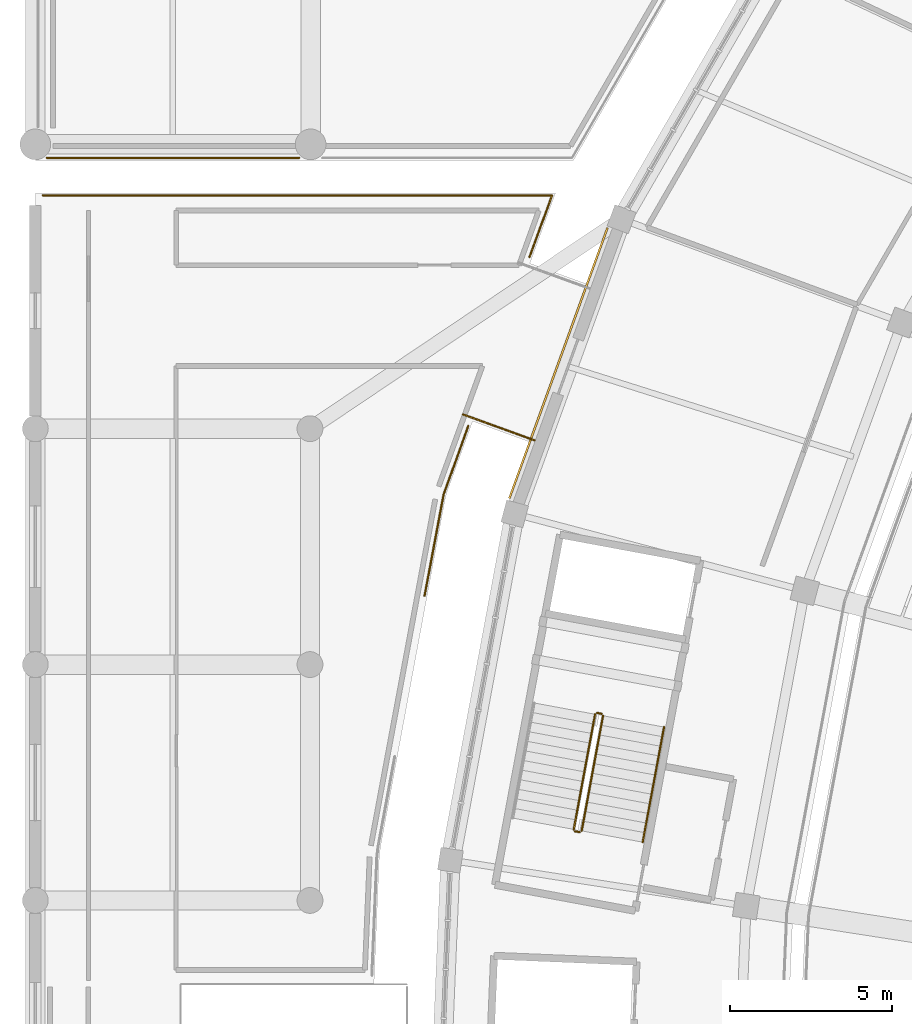
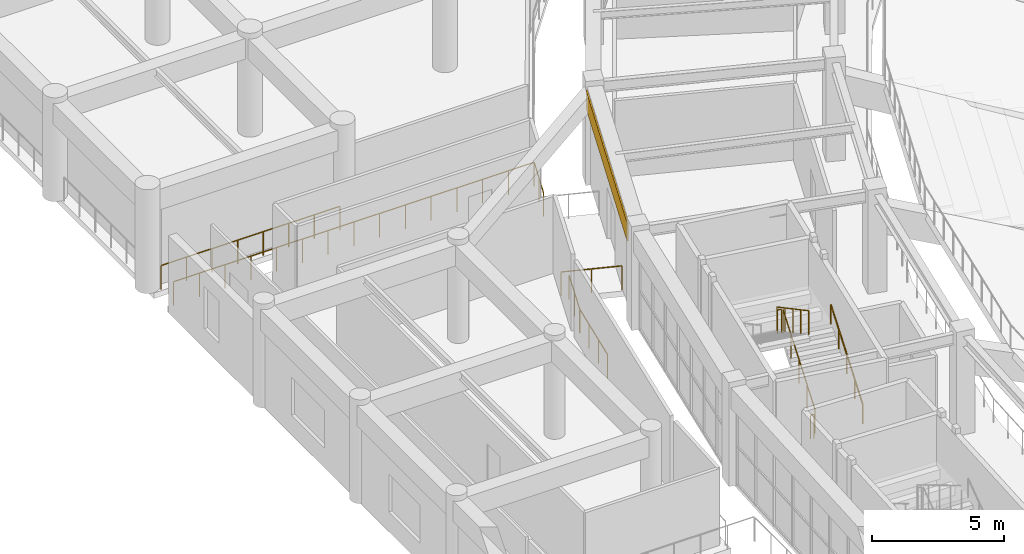
# One storey, part 121 of 137: 9 railings, 1 covering.
"""IFC4 building model written with IfcOpenShell, lengths in metres."""

from ifc_helpers import new_model, si_unit, direction, frame, origin, origin_2d, place, context, subcontext, project, spatial, rectangle, circle, extrude, material, layer, layer_set, type_object, element, save


model = new_model("IFC4")

# Units and contexts
model_context = context("Model", 3, precision=1e-05, world=origin(), true_north=direction((0.0, 1.0)))
body_context = subcontext(model_context, "Body", "Model", "MODEL_VIEW")
ifc_project = project(units=[si_unit("LENGTHUNIT", "METRE"), si_unit("AREAUNIT", "SQUARE_METRE"), si_unit("VOLUMEUNIT", "CUBIC_METRE"), si_unit("PLANEANGLEUNIT", "RADIAN"), si_unit("MASSUNIT", "GRAM", prefix="KILO")], contexts=[model_context])

# Site, building, storey
site_placement = place(None, origin())
site = spatial("IfcSite", under=ifc_project, at=site_placement, CompositionType="ELEMENT")
building_placement = place(site_placement, origin())
building = spatial("IfcBuilding", under=site, at=building_placement, Name="Mphavela Belvedere Stadium", CompositionType="ELEMENT")
storey_placement = place(building_placement, frame((0.0, 0.0, 19.199951171875)))
storey = spatial("IfcBuildingStorey", under=building, at=storey_placement, Name="L04", CompositionType="ELEMENT", Elevation=19.199951171875)

# Covering
ifc_material_1 = material(Name="Carved classical limestone entablature frieze cladding", Category="masonry")
ifc_layer = layer(ifc_material_1, 0.06005859375)
ifc_layer_set = layer_set([ifc_layer], Name="Carved classical limestone entablature frieze cladding")
covering_type = type_object("IfcCoveringType", Name="COV-FRIEZE-CLAD", PredefinedType="CLADDING", material=ifc_layer_set)
covering_placement = place(storey_placement, frame((16.188720703125, 118.2314453125, 3.594970703125), z_axis=(0.0, 0.0, 1.0), x_axis=(-0.341035912161, -0.940050268133, 0.0)))
element("IfcCovering", 1, at=covering_placement, inside=storey, type_object=covering_type, Name="Classical entablature frieze cladding L04-22", PredefinedType="CLADDING", context=body_context, shape_type="SweptSolid", body=[
    extrude(rectangle(XDim=8.905517578125, YDim=0.06005859375, at=origin_2d()), origin(), (0.0, 0.0, 1.0), 0.85009765625),
])

# Railings
ifc_material_2 = material(Name="Bronze and laminated glass stadium balustrade", Category="glass")
railing_type_1 = type_object("IfcRailingType", Name="RAL-BALUSTRADE-1120", PredefinedType="BALUSTRADE", material=ifc_material_2)
railing_1_placement = place(storey_placement, frame((15.44921875, 115.840576171875, 0.0)))
element("IfcRailing", 2, at=railing_1_placement, inside=storey, type_object=railing_type_1, Name="Colonnade link bridge balustrade L04-22B", PredefinedType="BALUSTRADE", context=body_context, shape_type="SweptSolid", body=[
    extrude(circle(Radius=0.02392578125, at=origin_2d()), frame((0.0, 0.0, 1.09619140625), z_axis=(-0.940078218368, 0.340958858734, 0.0), x_axis=(-0.340958858734, -0.940078218368, 0.0)), (0.0, 0.0, 1.0), 2.35009765625),
    extrude(circle(Radius=0.02099609375, at=origin_2d()), origin(), (0.0, 0.0, 1.0), 1.072021484375),
    extrude(circle(Radius=0.02099609375, at=origin_2d()), frame((-1.1044921875, 0.400634765625, 0.0)), (0.0, 0.0, 1.0), 1.072021484375),
    extrude(circle(Radius=0.02099609375, at=origin_2d()), frame((-2.209228515625, 0.80126953125, 0.0)), (0.0, 0.0, 1.0), 1.072021484375),
])
railing_2_placement = place(storey_placement, frame((8.164306640625, 124.580078125, 0.0)))
element("IfcRailing", 3, at=railing_2_placement, inside=storey, type_object=railing_type_1, Name="Peristyle wing gallery edge balustrade L04-36", PredefinedType="BALUSTRADE", context=body_context, shape_type="SweptSolid", body=[
    extrude(circle(Radius=0.02392578125, at=origin_2d()), frame((0.0, 0.0, 1.09619140625), z_axis=(-1.0, 0.0, 0.0), x_axis=(0.0, -1.0, 0.0)), (0.0, 0.0, 1.0), 7.809814453125),
    extrude(circle(Radius=0.02099609375, at=origin_2d()), origin(), (0.0, 0.0, 1.0), 1.072021484375),
    extrude(circle(Radius=0.02099609375, at=origin_2d()), frame((-1.11572265625, 0.0, 0.0)), (0.0, 0.0, 1.0), 1.072021484375),
    extrude(circle(Radius=0.02099609375, at=origin_2d()), frame((-2.2314453125, 0.0, 0.0)), (0.0, 0.0, 1.0), 1.072021484375),
    extrude(circle(Radius=0.02099609375, at=origin_2d()), frame((-3.34716796875, 0.0, 0.0)), (0.0, 0.0, 1.0), 1.072021484375),
    extrude(circle(Radius=0.02099609375, at=origin_2d()), frame((-4.462646484375, 0.0, 0.0)), (0.0, 0.0, 1.0), 1.072021484375),
    extrude(circle(Radius=0.02099609375, at=origin_2d()), frame((-5.578369140625, 0.0, 0.0)), (0.0, 0.0, 1.0), 1.072021484375),
    extrude(circle(Radius=0.02099609375, at=origin_2d()), frame((-6.694091796875, 0.0, 0.0)), (0.0, 0.0, 1.0), 1.072021484375),
    extrude(circle(Radius=0.02099609375, at=origin_2d()), frame((-7.809814453125, 0.0, 0.0)), (0.0, 0.0, 1.0), 1.072021484375),
])
railing_3_placement = place(storey_placement, frame((13.398193359375, 116.28662109375, 0.0)))
element("IfcRailing", 4, at=railing_3_placement, inside=storey, type_object=railing_type_1, Name="Peristyle wing gallery edge balustrade L04-54", PredefinedType="BALUSTRADE", context=body_context, shape_type="SweptSolid", body=[
    extrude(circle(Radius=0.02392578125, at=origin_2d()), frame((0.0, 0.0, 1.09619140625), z_axis=(-0.337621951524, -0.941281795133, 0.0), x_axis=(0.941281795133, -0.337621951524, 0.0)), (0.0, 0.0, 1.0), 2.26123046875),
    extrude(circle(Radius=0.02392578125, at=origin_2d()), frame((-0.763427734375, -2.12841796875, 1.09619140625), z_axis=(-0.184941248651, -0.982749578757, 0.0), x_axis=(0.982749578757, -0.184941248651, 0.0)), (0.0, 0.0, 1.0), 3.18408203125),
    extrude(circle(Radius=0.02099609375, at=origin_2d()), origin(), (0.0, 0.0, 1.0), 1.072021484375),
    extrude(circle(Radius=0.02099609375, at=origin_2d()), frame((-0.3818359375, -1.064208984375, 0.0)), (0.0, 0.0, 1.0), 1.072021484375),
    extrude(circle(Radius=0.02099609375, at=origin_2d()), frame((-0.763427734375, -2.12841796875, 0.0)), (0.0, 0.0, 1.0), 1.072021484375),
    extrude(circle(Radius=0.02099609375, at=origin_2d()), frame((-0.959716796875, -3.17138671875, 0.0)), (0.0, 0.0, 1.0), 1.072021484375),
    extrude(circle(Radius=0.02099609375, at=origin_2d()), frame((-1.156005859375, -4.214599609375, 0.0)), (0.0, 0.0, 1.0), 1.072021484375),
    extrude(circle(Radius=0.02099609375, at=origin_2d()), frame((-1.352294921875, -5.257568359375, 0.0)), (0.0, 0.0, 1.0), 1.072021484375),
])
railing_4_placement = place(storey_placement, frame((0.2333984375, 123.419921875, 0.0)))
element("IfcRailing", 5, at=railing_4_placement, inside=storey, type_object=railing_type_1, Name="Peristyle wing gallery edge balustrade L04-59", PredefinedType="BALUSTRADE", context=body_context, shape_type="SweptSolid", body=[
    extrude(circle(Radius=0.02392578125, at=origin_2d()), frame((0.0, 0.0, 1.09619140625), z_axis=(1.0, 0.0, 0.0), x_axis=(0.0, 1.0, 0.0)), (0.0, 0.0, 1.0), 15.756103515625),
    extrude(circle(Radius=0.02392578125, at=origin_2d()), frame((15.756103515625, 0.0, 1.09619140625), z_axis=(-0.342380499121, -0.939561383743, 0.0), x_axis=(0.939561383743, -0.342380499121, 0.0)), (0.0, 0.0, 1.0), 2.029296875),
    extrude(circle(Radius=0.02099609375, at=origin_2d()), origin(), (0.0, 0.0, 1.0), 1.072021484375),
    extrude(circle(Radius=0.02099609375, at=origin_2d()), frame((1.12548828125, 0.0, 0.0)), (0.0, 0.0, 1.0), 1.072021484375),
    extrude(circle(Radius=0.02099609375, at=origin_2d()), frame((2.2509765625, 0.0, 0.0)), (0.0, 0.0, 1.0), 1.072021484375),
    extrude(circle(Radius=0.02099609375, at=origin_2d()), frame((3.376220703125, 0.0, 0.0)), (0.0, 0.0, 1.0), 1.072021484375),
    extrude(circle(Radius=0.02099609375, at=origin_2d()), frame((4.501708984375, 0.0, 0.0)), (0.0, 0.0, 1.0), 1.072021484375),
    extrude(circle(Radius=0.02099609375, at=origin_2d()), frame((5.627197265625, 0.0, 0.0)), (0.0, 0.0, 1.0), 1.072021484375),
    extrude(circle(Radius=0.02099609375, at=origin_2d()), frame((6.752685546875, 0.0, 0.0)), (0.0, 0.0, 1.0), 1.072021484375),
    extrude(circle(Radius=0.02099609375, at=origin_2d()), frame((7.8779296875, 0.0, 0.0)), (0.0, 0.0, 1.0), 1.072021484375),
    extrude(circle(Radius=0.02099609375, at=origin_2d()), frame((9.00341796875, 0.0, 0.0)), (0.0, 0.0, 1.0), 1.072021484375),
    extrude(circle(Radius=0.02099609375, at=origin_2d()), frame((10.12890625, 0.0, 0.0)), (0.0, 0.0, 1.0), 1.072021484375),
    extrude(circle(Radius=0.02099609375, at=origin_2d()), frame((11.25439453125, 0.0, 0.0)), (0.0, 0.0, 1.0), 1.072021484375),
    extrude(circle(Radius=0.02099609375, at=origin_2d()), frame((12.3798828125, 0.0, 0.0)), (0.0, 0.0, 1.0), 1.072021484375),
    extrude(circle(Radius=0.02099609375, at=origin_2d()), frame((13.505126953125, 0.0, 0.0)), (0.0, 0.0, 1.0), 1.072021484375),
    extrude(circle(Radius=0.02099609375, at=origin_2d()), frame((14.630615234375, 0.0, 0.0)), (0.0, 0.0, 1.0), 1.072021484375),
    extrude(circle(Radius=0.02099609375, at=origin_2d()), frame((15.756103515625, 0.0, 0.0)), (0.0, 0.0, 1.0), 1.072021484375),
    extrude(circle(Radius=0.02099609375, at=origin_2d()), frame((15.40869140625, -0.953369140625, 0.0)), (0.0, 0.0, 1.0), 1.072021484375),
    extrude(circle(Radius=0.02099609375, at=origin_2d()), frame((15.061279296875, -1.90673828125, 0.0)), (0.0, 0.0, 1.0), 1.072021484375),
])
ifc_material_3 = material(Name="Painted galvanised steel stair guardrail", Category="steel")
railing_type_2 = type_object("IfcRailingType", Name="RAL-GUARD-1120", PredefinedType="GUARDRAIL", material=ifc_material_3)
railing_5_placement = place(storey_placement, frame((16.907958984375, 103.75390625, 0.1845703125)))
element("IfcRailing", 6, at=railing_5_placement, inside=storey, type_object=railing_type_2, Name="L04 ST-C06 stair guard 1", PredefinedType="GUARDRAIL", context=body_context, shape_type="SweptSolid", body=[
    extrude(circle(Radius=0.02392578125, at=origin_2d()), frame((0.0, 0.0, 1.09619140625), z_axis=(0.155766533894, 0.838840145997, 0.521616714055), x_axis=(-0.983192536952, 0.182571726404, 0.0)), (0.0, 0.0, 1.0), 4.24755859375),
    extrude(circle(Radius=0.02099609375, at=origin_2d()), origin(), (0.0, 0.0, 1.0), 1.072021484375),
    extrude(circle(Radius=0.02099609375, at=origin_2d()), frame((0.16552734375, 0.890625, 0.553955078125)), (0.0, 0.0, 1.0), 1.072021484375),
    extrude(circle(Radius=0.02099609375, at=origin_2d()), frame((0.330810546875, 1.781494140625, 1.10791015625)), (0.0, 0.0, 1.0), 1.072021484375),
    extrude(circle(Radius=0.02099609375, at=origin_2d()), frame((0.49609375, 2.67236328125, 1.66162109375)), (0.0, 0.0, 1.0), 1.072021484375),
    extrude(circle(Radius=0.02099609375, at=origin_2d()), frame((0.66162109375, 3.56298828125, 2.215576171875)), (0.0, 0.0, 1.0), 1.072021484375),
])
railing_6_placement = place(storey_placement, frame((17.529541015625, 107.375244140625, 2.400146484375)))
element("IfcRailing", 7, at=railing_6_placement, inside=storey, type_object=railing_type_2, Name="L04 ST-C06 stair guard 2", PredefinedType="GUARDRAIL", context=body_context, shape_type="SweptSolid", body=[
    extrude(circle(Radius=0.02392578125, at=origin_2d()), frame((0.0, 0.0, 1.09619140625), z_axis=(-0.983238797529, 0.182322426032, 0.0), x_axis=(-0.182322426032, -0.983238797529, 0.0)), (0.0, 0.0, 1.0), 0.14990234375),
    extrude(circle(Radius=0.02099609375, at=origin_2d()), origin(), (0.0, 0.0, 1.0), 1.072021484375),
    extrude(circle(Radius=0.02099609375, at=origin_2d()), frame((-0.1474609375, 0.02734375, 0.0)), (0.0, 0.0, 1.0), 1.072021484375),
])
railing_7_placement = place(storey_placement, frame((17.32373046875, 107.362548828125, 2.584716796875)))
element("IfcRailing", 8, at=railing_7_placement, inside=storey, type_object=railing_type_2, Name="L04 ST-C06 stair guard 3", PredefinedType="GUARDRAIL", context=body_context, shape_type="SweptSolid", body=[
    extrude(circle(Radius=0.02392578125, at=origin_2d()), frame((0.0, 0.0, 1.09619140625), z_axis=(-0.155771203994, -0.838865295602, 0.521574872708), x_axis=(0.983192536952, -0.182571726404, 0.0)), (0.0, 0.0, 1.0), 4.247314453125),
    extrude(circle(Radius=0.02099609375, at=origin_2d()), origin(), (0.0, 0.0, 1.0), 1.072021484375),
    extrude(circle(Radius=0.02099609375, at=origin_2d()), frame((-0.16552734375, -0.890625, 0.5537109375)), (0.0, 0.0, 1.0), 1.072021484375),
    extrude(circle(Radius=0.02099609375, at=origin_2d()), frame((-0.330810546875, -1.781494140625, 1.107666015625)), (0.0, 0.0, 1.0), 1.072021484375),
    extrude(circle(Radius=0.02099609375, at=origin_2d()), frame((-0.49609375, -2.67236328125, 1.66162109375)), (0.0, 0.0, 1.0), 1.072021484375),
    extrude(circle(Radius=0.02099609375, at=origin_2d()), frame((-0.66162109375, -3.56298828125, 2.21533203125)), (0.0, 0.0, 1.0), 1.072021484375),
])
railing_8_placement = place(storey_placement, frame((16.849609375, 103.7138671875, 0.0)))
element("IfcRailing", 9, at=railing_8_placement, inside=storey, type_object=railing_type_2, Name="L04 ST-C06 stair guard 4", PredefinedType="GUARDRAIL", context=body_context, shape_type="SweptSolid", body=[
    extrude(circle(Radius=0.02392578125, at=origin_2d()), frame((0.0, 0.0, 1.09619140625), z_axis=(-0.983238797529, 0.182322426032, 0.0), x_axis=(-0.182322426032, -0.983238797529, 0.0)), (0.0, 0.0, 1.0), 0.14990234375),
    extrude(circle(Radius=0.02099609375, at=origin_2d()), origin(), (0.0, 0.0, 1.0), 1.072021484375),
    extrude(circle(Radius=0.02099609375, at=origin_2d()), frame((-0.1474609375, 0.02734375, 0.0)), (0.0, 0.0, 1.0), 1.072021484375),
])
ifc_material_4 = material(Name="Brushed stainless steel tubular handrail", Category="steel")
railing_type_3 = type_object("IfcRailingType", Name="RAL-HANDRAIL-900", PredefinedType="HANDRAIL", material=ifc_material_4)
railing_9_placement = place(storey_placement, frame((18.795654296875, 103.4033203125, 0.1845703125)))
element("IfcRailing", 10, at=railing_9_placement, inside=storey, type_object=railing_type_3, Name="L04 ST-C06 stair handrail 1", PredefinedType="HANDRAIL", context=body_context, shape_type="SweptSolid", body=[
    extrude(circle(Radius=0.02392578125, at=origin_2d()), frame((0.0, 0.0, 0.8759765625), z_axis=(0.155766533894, 0.838840145997, 0.521616714055), x_axis=(-0.983192536952, 0.182571726404, 0.0)), (0.0, 0.0, 1.0), 4.24755859375),
    extrude(circle(Radius=0.02099609375, at=origin_2d()), origin(), (0.0, 0.0, 1.0), 0.851806640625),
    extrude(circle(Radius=0.02099609375, at=origin_2d()), frame((0.16552734375, 0.890625, 0.553955078125)), (0.0, 0.0, 1.0), 0.851806640625),
    extrude(circle(Radius=0.02099609375, at=origin_2d()), frame((0.330810546875, 1.781494140625, 1.10791015625)), (0.0, 0.0, 1.0), 0.851806640625),
    extrude(circle(Radius=0.02099609375, at=origin_2d()), frame((0.49609375, 2.67236328125, 1.66162109375)), (0.0, 0.0, 1.0), 0.851806640625),
    extrude(circle(Radius=0.02099609375, at=origin_2d()), frame((0.66162109375, 3.56298828125, 2.215576171875)), (0.0, 0.0, 1.0), 0.851806640625),
])

save(model, "model.ifc")
